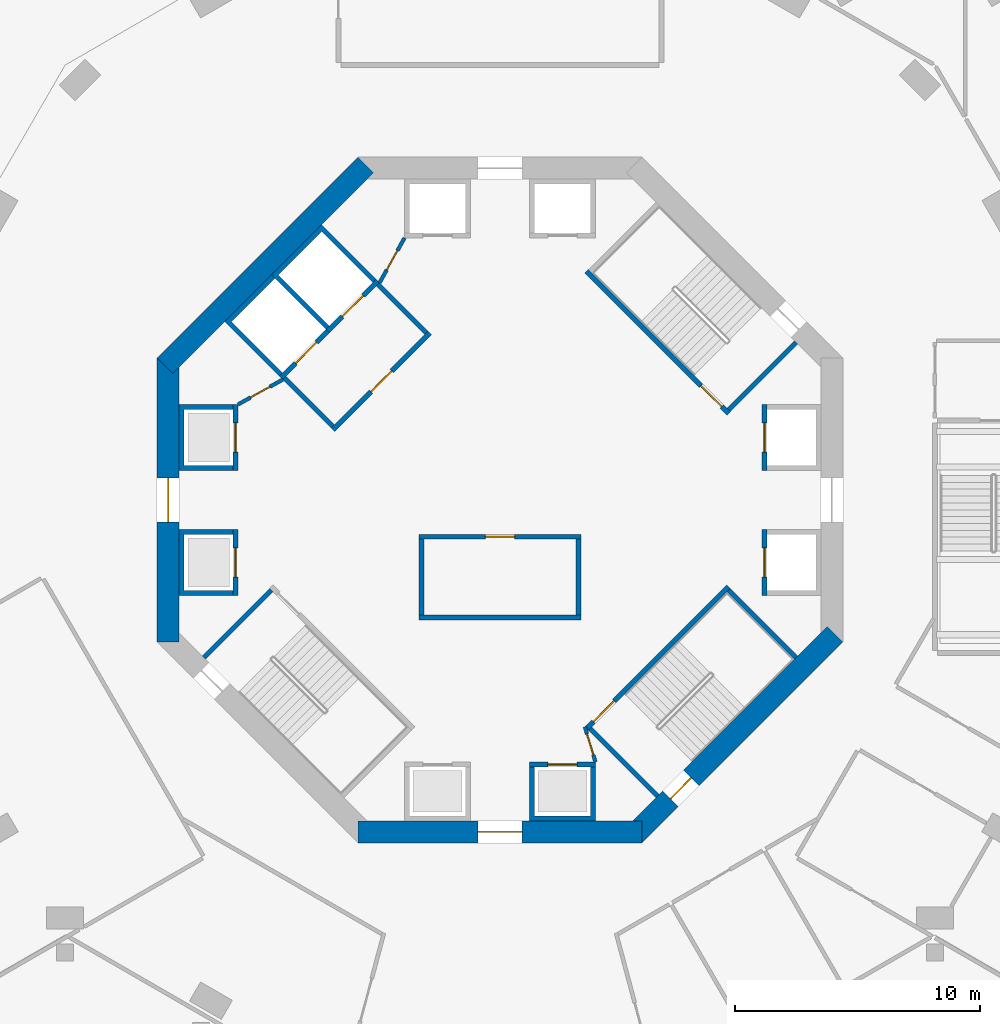
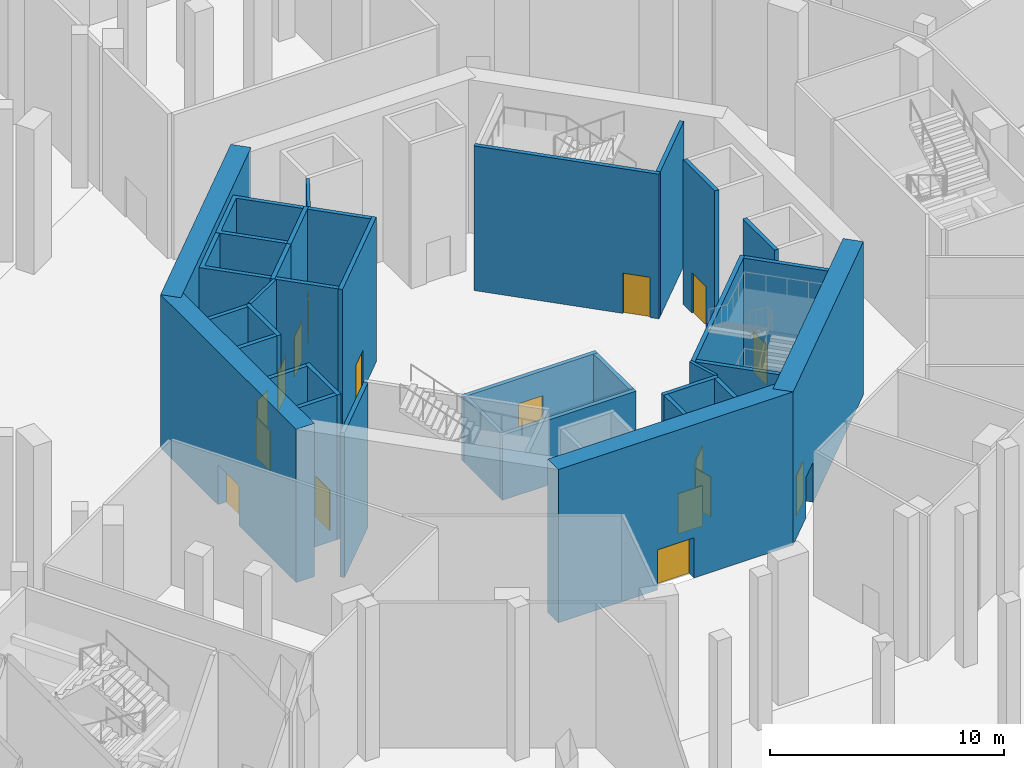
# One storey, part 7 of 30: 32 walls, 17 doors, 17 openings.
"""IFC4 building model written with IfcOpenShell, lengths in metres."""

from ifc_helpers import new_model, si_unit, direction, frame, frame_2d, origin, place, context, subcontext, project, spatial, polyline, rectangle, outline, extrude, material, layer, layer_set, type_object, element, fill, save


model = new_model("IFC4")

# Units and contexts
model_context = context("Model", 3, precision=1e-05, world=origin(), true_north=direction((0.0, 1.0)))
body_context = subcontext(model_context, "Body", "Model", "MODEL_VIEW")
ifc_project = project(units=[si_unit("LENGTHUNIT", "METRE"), si_unit("AREAUNIT", "SQUARE_METRE"), si_unit("VOLUMEUNIT", "CUBIC_METRE"), si_unit("PLANEANGLEUNIT", "RADIAN"), si_unit("MASSUNIT", "GRAM", prefix="KILO")], contexts=[model_context])

# Site, building, storey
site_placement = place(None, origin())
site = spatial("IfcSite", under=ifc_project, at=site_placement, CompositionType="ELEMENT")
building_placement = place(site_placement, origin())
building = spatial("IfcBuilding", under=site, at=building_placement, Name="Verdalira Terraces Hotel", CompositionType="ELEMENT")
storey_placement = place(building_placement, origin())
storey = spatial("IfcBuildingStorey", under=building, at=storey_placement, Name="L00", CompositionType="ELEMENT", Elevation=0.0)

# Wall, opening, door
ifc_material_1 = material(Name="Concrete C50", Category="concrete")
ifc_layer_1 = layer(ifc_material_1, 0.199951171875)
ifc_layer_set_1 = layer_set([ifc_layer_1], Name="Core RC wall 200 C50")
wall_type_1 = type_object("IfcWallType", Name="Core RC wall 200 C50", PredefinedType="SOLIDWALL", material=ifc_layer_set_1)
wall_1_placement = place(storey_placement, frame((10.800049, -1.199951, 0.0), z_axis=(0.0, 0.0, 1.0), x_axis=(0.0, -1.0, 0.0)))
wall_1 = element("IfcWall", 1, at=wall_1_placement, inside=storey, type_object=wall_type_1, Name="L00 shaft front wall E1", PredefinedType="SOLIDWALL", context=body_context, shape_type="SweptSolid", body=[
    extrude(rectangle(XDim=2.699951, YDim=0.199951, at=frame_2d((1.350098, 0.0))), origin(), (0.0, 0.0, 1.0), 7.550049),
])
opening_1_placement = place(wall_1_placement, frame((0.75, 0.0, 0.0)))
opening_1 = element("IfcOpeningElement", 2, at=opening_1_placement, cuts=wall_1, Name="Opening LD-L00-801", PredefinedType="OPENING", context=body_context, shape_type="SweptSolid", body=[
    extrude(rectangle(XDim=1.199951, YDim=2.100098, at=frame_2d((0.600098, 1.050049))), frame((0.0, 0.109863, 0.0), z_axis=(0.0, -1.0, 0.0), x_axis=(1.0, 0.0, 0.0)), (0.0, 0.0, 1.0), 0.219971),
])
ifc_material_2 = material(Name="Stainless steel", Category="steel")
door_type_1 = type_object("IfcDoorType", Name="Landing door 1200 x 2100", OperationType="NOTDEFINED", PredefinedType="DOOR", material=ifc_material_2)
door_1_placement = place(opening_1_placement, origin())
door_1 = element("IfcDoor", 3, at=door_1_placement, inside=storey, type_object=door_type_1, Name="Lift landing door LR1 L00", OperationType="DOUBLE_DOOR_SLIDING", OverallHeight=2.10009765625, OverallWidth=1.199951171875, PredefinedType="DOOR", context=body_context, shape_type="SweptSolid", body=[
    extrude(rectangle(XDim=1.199951, YDim=2.100098, at=frame_2d((0.600098, 1.050049))), frame((0.0, 0.024902, 0.0), z_axis=(0.0, -1.0, 0.0), x_axis=(1.0, 0.0, 0.0)), (0.0, 0.0, 1.0), 0.050049),
])
fill(opening_1, door_1)

wall_2_placement = place(storey_placement, frame((10.800049, 1.199951, 0.0), z_axis=(0.0, 0.0, 1.0), x_axis=(0.0, 1.0, 0.0)))
wall_2 = element("IfcWall", 4, at=wall_2_placement, inside=storey, type_object=wall_type_1, Name="L00 shaft front wall E2", PredefinedType="SOLIDWALL", context=body_context, shape_type="SweptSolid", body=[
    extrude(rectangle(XDim=2.699951, YDim=0.199951, at=frame_2d((1.350098, 0.0))), origin(), (0.0, 0.0, 1.0), 7.550049),
])
opening_2_placement = place(wall_2_placement, frame((0.75, 0.0, 0.0)))
opening_2 = element("IfcOpeningElement", 5, at=opening_2_placement, cuts=wall_2, Name="Opening LD-L00-802", PredefinedType="OPENING", context=body_context, shape_type="SweptSolid", body=[
    extrude(rectangle(XDim=1.199951, YDim=2.100098, at=frame_2d((0.600098, 1.050049))), frame((0.0, 0.109863, 0.0), z_axis=(0.0, -1.0, 0.0), x_axis=(1.0, 0.0, 0.0)), (0.0, 0.0, 1.0), 0.219971),
])
door_2_placement = place(opening_2_placement, origin())
door_2 = element("IfcDoor", 6, at=door_2_placement, inside=storey, type_object=door_type_1, Name="Lift landing door LR2 L00", OperationType="DOUBLE_DOOR_SLIDING", OverallHeight=2.10009765625, OverallWidth=1.199951171875, PredefinedType="DOOR", context=body_context, shape_type="SweptSolid", body=[
    extrude(rectangle(XDim=1.199951, YDim=2.100098, at=frame_2d((0.600098, 1.050049))), frame((0.0, 0.024902, 0.0), z_axis=(0.0, -1.0, 0.0), x_axis=(1.0, 0.0, 0.0)), (0.0, 0.0, 1.0), 0.050049),
])
fill(opening_2, door_2)

# Wall
wall_3_placement = place(storey_placement, origin())
element("IfcWall", 7, at=wall_3_placement, inside=storey, type_object=wall_type_1, Name="L00 shaft wall W1", PredefinedType="SOLIDWALL", context=body_context, shape_type="SweptSolid", body=[
    extrude(outline(polyline([(-13.100098, 3.899902), (-10.899902, 3.899902), (-10.899902, 3.699951), (-12.899902, 3.699951), (-12.899902, 1.399902), (-10.899902, 1.399902), (-10.899902, 1.199951), (-13.100098, 1.199951), (-13.100098, 3.899902)])), origin(), (0.0, 0.0, 1.0), 7.550049),
])

# Wall, opening, door
wall_4_placement = place(storey_placement, frame((-10.800049, 1.199951, 0.0), z_axis=(0.0, 0.0, 1.0), x_axis=(0.0, 1.0, 0.0)))
wall_4 = element("IfcWall", 8, at=wall_4_placement, inside=storey, type_object=wall_type_1, Name="L00 shaft front wall W1", PredefinedType="SOLIDWALL", context=body_context, shape_type="SweptSolid", body=[
    extrude(rectangle(XDim=2.699951, YDim=0.199951, at=frame_2d((1.350098, 0.0))), origin(), (0.0, 0.0, 1.0), 7.550049),
])
opening_3_placement = place(wall_4_placement, frame((0.75, 0.0, 0.0)))
opening_3 = element("IfcOpeningElement", 9, at=opening_3_placement, cuts=wall_4, Name="Opening LD-L00-805", PredefinedType="OPENING", context=body_context, shape_type="SweptSolid", body=[
    extrude(rectangle(XDim=1.199951, YDim=2.100098, at=frame_2d((0.600098, 1.050049))), frame((0.0, 0.109863, 0.0), z_axis=(0.0, -1.0, 0.0), x_axis=(1.0, 0.0, 0.0)), (0.0, 0.0, 1.0), 0.219971),
])
door_3_placement = place(opening_3_placement, origin())
door_3 = element("IfcDoor", 10, at=door_3_placement, inside=storey, type_object=door_type_1, Name="Lift landing door LR5 L00", OperationType="DOUBLE_DOOR_SLIDING", OverallHeight=2.10009765625, OverallWidth=1.199951171875, PredefinedType="DOOR", context=body_context, shape_type="SweptSolid", body=[
    extrude(rectangle(XDim=1.199951, YDim=2.100098, at=frame_2d((0.600098, 1.050049))), frame((0.0, 0.024902, 0.0), z_axis=(0.0, -1.0, 0.0), x_axis=(1.0, 0.0, 0.0)), (0.0, 0.0, 1.0), 0.050049),
])
fill(opening_3, door_3)

# Wall
wall_5_placement = place(storey_placement, origin())
element("IfcWall", 11, at=wall_5_placement, inside=storey, type_object=wall_type_1, Name="L00 shaft wall W2", PredefinedType="SOLIDWALL", context=body_context, shape_type="SweptSolid", body=[
    extrude(outline(polyline([(-13.100098, -3.899902), (-13.100098, -1.199951), (-10.899902, -1.199951), (-10.899902, -1.399902), (-12.899902, -1.399902), (-12.899902, -3.699951), (-10.899902, -3.699951), (-10.899902, -3.899902), (-13.100098, -3.899902)])), origin(), (0.0, 0.0, 1.0), 7.550049),
])

# Wall, opening, door
wall_6_placement = place(storey_placement, frame((-10.800049, -1.199951, 0.0), z_axis=(0.0, 0.0, 1.0), x_axis=(0.0, -1.0, 0.0)))
wall_6 = element("IfcWall", 12, at=wall_6_placement, inside=storey, type_object=wall_type_1, Name="L00 shaft front wall W2", PredefinedType="SOLIDWALL", context=body_context, shape_type="SweptSolid", body=[
    extrude(rectangle(XDim=2.699951, YDim=0.199951, at=frame_2d((1.350098, 0.0))), origin(), (0.0, 0.0, 1.0), 7.550049),
])
opening_4_placement = place(wall_6_placement, frame((0.75, 0.0, 0.0)))
opening_4 = element("IfcOpeningElement", 13, at=opening_4_placement, cuts=wall_6, Name="Opening LD-L00-806", PredefinedType="OPENING", context=body_context, shape_type="SweptSolid", body=[
    extrude(rectangle(XDim=1.199951, YDim=2.100098, at=frame_2d((0.600098, 1.050049))), frame((0.0, 0.109863, 0.0), z_axis=(0.0, -1.0, 0.0), x_axis=(1.0, 0.0, 0.0)), (0.0, 0.0, 1.0), 0.219971),
])
door_4_placement = place(opening_4_placement, origin())
door_4 = element("IfcDoor", 14, at=door_4_placement, inside=storey, type_object=door_type_1, Name="Lift landing door LR6 L00", OperationType="DOUBLE_DOOR_SLIDING", OverallHeight=2.10009765625, OverallWidth=1.199951171875, PredefinedType="DOOR", context=body_context, shape_type="SweptSolid", body=[
    extrude(rectangle(XDim=1.199951, YDim=2.100098, at=frame_2d((0.600098, 1.050049))), frame((0.0, 0.024902, 0.0), z_axis=(0.0, -1.0, 0.0), x_axis=(1.0, 0.0, 0.0)), (0.0, 0.0, 1.0), 0.050049),
])
fill(opening_4, door_4)

# Wall
wall_7_placement = place(storey_placement, origin())
element("IfcWall", 15, at=wall_7_placement, inside=storey, type_object=wall_type_1, Name="L00 shaft wall S2", PredefinedType="SOLIDWALL", context=body_context, shape_type="SweptSolid", body=[
    extrude(outline(polyline([(1.199951, -10.899902), (1.399902, -10.899902), (1.399902, -12.899902), (3.699951, -12.899902), (3.699951, -10.899902), (3.899902, -10.899902), (3.899902, -13.100098), (1.199951, -13.100098), (1.199951, -10.899902)])), origin(), (0.0, 0.0, 1.0), 7.550049),
])

# Wall, opening, door
wall_8_placement = place(storey_placement, frame((1.199951, -10.800049, 0.0), z_axis=(0.0, 0.0, 1.0), x_axis=(1.0, 0.0, 0.0)))
wall_8 = element("IfcWall", 16, at=wall_8_placement, inside=storey, type_object=wall_type_1, Name="L00 shaft front wall S2", PredefinedType="SOLIDWALL", context=body_context, shape_type="SweptSolid", body=[
    extrude(rectangle(XDim=2.699951, YDim=0.199951, at=frame_2d((1.350098, 0.0))), origin(), (0.0, 0.0, 1.0), 7.550049),
])
opening_5_placement = place(wall_8_placement, frame((0.75, 0.0, 0.0)))
opening_5 = element("IfcOpeningElement", 17, at=opening_5_placement, cuts=wall_8, Name="Opening LD-L00-808", PredefinedType="OPENING", context=body_context, shape_type="SweptSolid", body=[
    extrude(rectangle(XDim=1.199951, YDim=2.100098, at=frame_2d((0.600098, 1.050049))), frame((0.0, 0.109863, 0.0), z_axis=(0.0, -1.0, 0.0), x_axis=(1.0, 0.0, 0.0)), (0.0, 0.0, 1.0), 0.219971),
])
door_5_placement = place(opening_5_placement, origin())
door_5 = element("IfcDoor", 18, at=door_5_placement, inside=storey, type_object=door_type_1, Name="Lift landing door SH2 L00", OperationType="DOUBLE_DOOR_SLIDING", OverallHeight=2.10009765625, OverallWidth=1.199951171875, PredefinedType="DOOR", context=body_context, shape_type="SweptSolid", body=[
    extrude(rectangle(XDim=1.199951, YDim=2.100098, at=frame_2d((0.600098, 1.050049))), frame((0.0, 0.024902, 0.0), z_axis=(0.0, -1.0, 0.0), x_axis=(1.0, 0.0, 0.0)), (0.0, 0.0, 1.0), 0.050049),
])
fill(opening_5, door_5)

# Wall
wall_9_placement = place(storey_placement, origin())
element("IfcWall", 19, at=wall_9_placement, inside=storey, type_object=wall_type_1, Name="L00 shaft wall F1", PredefinedType="SOLIDWALL", context=body_context, shape_type="SweptSolid", body=[
    extrude(outline(polyline([(-9.33374, 9.192383), (-7.283203, 11.24292), (-5.055908, 9.015625), (-5.197266, 8.874268), (-7.283203, 10.960205), (-9.051025, 9.192383), (-6.965088, 7.106445), (-7.106445, 6.965088), (-9.33374, 9.192383)])), origin(), (0.0, 0.0, 1.0), 7.550049),
])

# Wall, opening, door
wall_10_placement = place(storey_placement, frame((-4.985107, 8.944824, 0.0), z_axis=(0.0, 0.0, 1.0), x_axis=(-0.707106781, -0.707106781, 0.0)))
wall_10 = element("IfcWall", 20, at=wall_10_placement, inside=storey, type_object=wall_type_1, Name="L00 shaft front wall F1", PredefinedType="SOLIDWALL", context=body_context, shape_type="SweptSolid", body=[
    extrude(rectangle(XDim=2.899902, YDim=0.199951, at=frame_2d((1.449951, 0.0))), origin(), (0.0, 0.0, 1.0), 7.550049),
])
opening_6_placement = place(wall_10_placement, frame((0.850098, 0.0, 0.0)))
opening_6 = element("IfcOpeningElement", 21, at=opening_6_placement, cuts=wall_10, Name="Opening LD-L00-809", PredefinedType="OPENING", context=body_context, shape_type="SweptSolid", body=[
    extrude(rectangle(XDim=1.199951, YDim=2.100098, at=frame_2d((0.600098, 1.050049))), frame((0.0, 0.109863, 0.0), z_axis=(0.0, -1.0, 0.0), x_axis=(1.0, 0.0, 0.0)), (0.0, 0.0, 1.0), 0.219971),
])
door_6_placement = place(opening_6_placement, origin())
door_6 = element("IfcDoor", 22, at=door_6_placement, inside=storey, type_object=door_type_1, Name="Lift landing door LF11 L00", OperationType="DOUBLE_DOOR_SLIDING", OverallHeight=2.10009765625, OverallWidth=1.199951171875, PredefinedType="DOOR", context=body_context, shape_type="SweptSolid", body=[
    extrude(rectangle(XDim=1.199951, YDim=2.100098, at=frame_2d((0.600098, 1.050049))), frame((0.0, 0.024902, 0.0), z_axis=(0.0, -1.0, 0.0), x_axis=(1.0, 0.0, 0.0)), (0.0, 0.0, 1.0), 0.050049),
])
fill(opening_6, door_6)

# Wall
wall_11_placement = place(storey_placement, origin())
element("IfcWall", 23, at=wall_11_placement, inside=storey, type_object=wall_type_1, Name="L00 shaft wall F2", PredefinedType="SOLIDWALL", context=body_context, shape_type="SweptSolid", body=[
    extrude(outline(polyline([(-11.24292, 7.283203), (-9.33374, 9.192383), (-9.192383, 9.051025), (-10.960205, 7.283203), (-8.874268, 5.197266), (-9.015625, 5.055908), (-11.24292, 7.283203)])), origin(), (0.0, 0.0, 1.0), 7.550049),
])

# Wall, opening, door
wall_12_placement = place(storey_placement, frame((-7.035645, 6.894287, 0.0), z_axis=(0.0, 0.0, 1.0), x_axis=(-0.707106781, -0.707106781, 0.0)))
wall_12 = element("IfcWall", 24, at=wall_12_placement, inside=storey, type_object=wall_type_1, Name="L00 shaft front wall F2", PredefinedType="SOLIDWALL", context=body_context, shape_type="SweptSolid", body=[
    extrude(rectangle(XDim=2.699951, YDim=0.199951, at=frame_2d((1.350098, 0.0))), origin(), (0.0, 0.0, 1.0), 7.550049),
])
opening_7_placement = place(wall_12_placement, frame((0.649902, 0.0, 0.0)))
opening_7 = element("IfcOpeningElement", 25, at=opening_7_placement, cuts=wall_12, Name="Opening LD-L00-810", PredefinedType="OPENING", context=body_context, shape_type="SweptSolid", body=[
    extrude(rectangle(XDim=1.199951, YDim=2.100098, at=frame_2d((0.600098, 1.050049))), frame((0.0, 0.109863, 0.0), z_axis=(0.0, -1.0, 0.0), x_axis=(1.0, 0.0, 0.0)), (0.0, 0.0, 1.0), 0.219971),
])
door_7_placement = place(opening_7_placement, origin())
door_7 = element("IfcDoor", 26, at=door_7_placement, inside=storey, type_object=door_type_1, Name="Lift landing door LF12 L00", OperationType="DOUBLE_DOOR_SLIDING", OverallHeight=2.10009765625, OverallWidth=1.199951171875, PredefinedType="DOOR", context=body_context, shape_type="SweptSolid", body=[
    extrude(rectangle(XDim=1.199951, YDim=2.100098, at=frame_2d((0.600098, 1.050049))), frame((0.0, 0.024902, 0.0), z_axis=(0.0, -1.0, 0.0), x_axis=(1.0, 0.0, 0.0)), (0.0, 0.0, 1.0), 0.050049),
])
fill(opening_7, door_7)

wall_13_placement = place(storey_placement, frame((3.5354, 9.33374, 0.0), z_axis=(0.0, 0.0, 1.0), x_axis=(0.707106781, -0.707106781, 0.0)))
wall_13 = element("IfcWall", 27, at=wall_13_placement, inside=storey, type_object=wall_type_1, Name="L00 stair ST1 front wall", PredefinedType="SOLIDWALL", context=body_context, shape_type="SweptSolid", body=[
    extrude(rectangle(XDim=8.200195, YDim=0.199951, at=frame_2d((4.100098, 0.0))), origin(), (0.0, 0.0, 1.0), 7.550049),
])
opening_8_placement = place(wall_13_placement, frame((6.600098, 0.0, 0.0)))
opening_8 = element("IfcOpeningElement", 28, at=opening_8_placement, cuts=wall_13, Name="Opening L00-811", PredefinedType="OPENING", context=body_context, shape_type="SweptSolid", body=[
    extrude(rectangle(XDim=1.199951, YDim=2.100098, at=frame_2d((0.600098, 1.050049))), frame((0.0, 0.109863, 0.0), z_axis=(0.0, -1.0, 0.0), x_axis=(1.0, 0.0, 0.0)), (0.0, 0.0, 1.0), 0.219971),
])
ifc_material_3 = material(Name="Steel fire door", Category="steel")
door_type_2 = type_object("IfcDoorType", Name="Stair door 1200 x 2100", OperationType="NOTDEFINED", PredefinedType="DOOR", material=ifc_material_3)
door_8_placement = place(opening_8_placement, origin())
door_8 = element("IfcDoor", 29, at=door_8_placement, inside=storey, type_object=door_type_2, Name="Stair door ST1 L00", OperationType="SINGLE_SWING_RIGHT", OverallHeight=2.10009765625, OverallWidth=1.199951171875, PredefinedType="DOOR", context=body_context, shape_type="SweptSolid", body=[
    extrude(rectangle(XDim=1.199951, YDim=2.100098, at=frame_2d((0.600098, 1.050049))), frame((0.0, 0.024902, 0.0), z_axis=(0.0, -1.0, 0.0), x_axis=(1.0, 0.0, 0.0)), (0.0, 0.0, 1.0), 0.050049),
])
fill(opening_8, door_8)

# Walls
for number, where, z_axis, x_axis, name in (
    (30, (9.33374, 3.677002, 0.0), (0.0, 0.0, 1.0), (0.707106781, 0.707106781, 0.0), "L00 stair ST1 end wall 1"),
    (31, (-9.33374, -3.677002, 0.0), (0.0, 0.0, 1.0), (-0.707106781, -0.707106781, 0.0), "L00 stair ST2 end wall 1"),
):
    element("IfcWall", number, at=place(storey_placement, frame(where, z_axis=z_axis, x_axis=x_axis)), inside=storey, type_object=wall_type_1, Name=name, PredefinedType="SOLIDWALL", context=body_context, shape_type="SweptSolid", body=[
        extrude(rectangle(XDim=3.900146, YDim=0.199951, at=frame_2d((1.950195, 0.0))), origin(), (0.0, 0.0, 1.0), 7.550049),
    ])

# Wall, opening, door
wall_14_placement = place(storey_placement, frame((9.33374, -3.5354, 0.0), z_axis=(0.0, 0.0, 1.0), x_axis=(-0.707106781, -0.707106781, 0.0)))
wall_14 = element("IfcWall", 32, at=wall_14_placement, inside=storey, type_object=wall_type_1, Name="L00 stair ST3 front wall", PredefinedType="SOLIDWALL", context=body_context, shape_type="SweptSolid", body=[
    extrude(rectangle(XDim=8.200195, YDim=0.199951, at=frame_2d((4.100098, 0.0))), origin(), (0.0, 0.0, 1.0), 7.550049),
])
opening_9_placement = place(wall_14_placement, frame((6.600098, 0.0, 0.0)))
opening_9 = element("IfcOpeningElement", 33, at=opening_9_placement, cuts=wall_14, Name="Opening L00-813", PredefinedType="OPENING", context=body_context, shape_type="SweptSolid", body=[
    extrude(rectangle(XDim=1.199951, YDim=2.100098, at=frame_2d((0.600098, 1.050049))), frame((0.0, 0.109863, 0.0), z_axis=(0.0, -1.0, 0.0), x_axis=(1.0, 0.0, 0.0)), (0.0, 0.0, 1.0), 0.219971),
])
door_9_placement = place(opening_9_placement, origin())
door_9 = element("IfcDoor", 34, at=door_9_placement, inside=storey, type_object=door_type_2, Name="Stair door ST3 L00", OperationType="SINGLE_SWING_RIGHT", OverallHeight=2.10009765625, OverallWidth=1.199951171875, PredefinedType="DOOR", context=body_context, shape_type="SweptSolid", body=[
    extrude(rectangle(XDim=1.199951, YDim=2.100098, at=frame_2d((0.600098, 1.050049))), frame((0.0, 0.024902, 0.0), z_axis=(0.0, -1.0, 0.0), x_axis=(1.0, 0.0, 0.0)), (0.0, 0.0, 1.0), 0.050049),
])
fill(opening_9, door_9)

# Walls
for number, where, z_axis, x_axis, name in (
    (35, (3.677002, -9.33374, 0.0), (0.0, 0.0, 1.0), (0.707106781, -0.707106781, 0.0), "L00 stair ST3 end wall 1"),
    (36, (9.33374, -3.677002, 0.0), (0.0, 0.0, 1.0), (0.707106781, -0.707106781, 0.0), "L00 stair ST3 end wall 2"),
):
    element("IfcWall", number, at=place(storey_placement, frame(where, z_axis=z_axis, x_axis=x_axis)), inside=storey, type_object=wall_type_1, Name=name, PredefinedType="SOLIDWALL", context=body_context, shape_type="SweptSolid", body=[
        extrude(rectangle(XDim=3.900146, YDim=0.199951, at=frame_2d((1.950195, 0.0))), origin(), (0.0, 0.0, 1.0), 7.550049),
    ])

# Wall, opening, door
wall_15_placement = place(storey_placement, frame((-2.86377, 6.823486, 0.0), z_axis=(0.0, 0.0, 1.0), x_axis=(-0.707106781, -0.707106781, 0.0)))
wall_15 = element("IfcWall", 37, at=wall_15_placement, inside=storey, type_object=wall_type_1, Name="L00 fire lobby wall", PredefinedType="SOLIDWALL", context=body_context, shape_type="SweptSolid", body=[
    extrude(rectangle(XDim=5.599854, YDim=0.199951, at=frame_2d((2.799805, 0.0))), origin(), (0.0, 0.0, 1.0), 7.550049),
])
opening_10_placement = place(wall_15_placement, frame((2.199951, 0.0, 0.0)))
opening_10 = element("IfcOpeningElement", 38, at=opening_10_placement, cuts=wall_15, Name="Opening L00-821", PredefinedType="OPENING", context=body_context, shape_type="SweptSolid", body=[
    extrude(rectangle(XDim=1.199951, YDim=2.100098, at=frame_2d((0.600098, 1.050049))), frame((0.0, 0.109863, 0.0), z_axis=(0.0, -1.0, 0.0), x_axis=(1.0, 0.0, 0.0)), (0.0, 0.0, 1.0), 0.219971),
])
ifc_material_4 = material(Name="Steel fire door", Category="steel")
door_type_3 = type_object("IfcDoorType", Name="Lobby door 1200 x 2100", OperationType="NOTDEFINED", PredefinedType="DOOR", material=ifc_material_4)
door_10_placement = place(opening_10_placement, origin())
door_10 = element("IfcDoor", 39, at=door_10_placement, inside=storey, type_object=door_type_3, Name="Fire lobby door L00", OperationType="SINGLE_SWING_LEFT", OverallHeight=2.10009765625, OverallWidth=1.199951171875, PredefinedType="DOOR", context=body_context, shape_type="SweptSolid", body=[
    extrude(rectangle(XDim=1.199951, YDim=2.100098, at=frame_2d((0.600098, 1.050049))), frame((0.0, 0.024902, 0.0), z_axis=(0.0, -1.0, 0.0), x_axis=(1.0, 0.0, 0.0)), (0.0, 0.0, 1.0), 0.050049),
])
fill(opening_10, door_10)

# Walls
for number, where, z_axis, x_axis, name in (
    (40, (-3.005127, 6.823486, 0.0), (0.0, 0.0, 1.0), (-0.707106781, 0.707106781, 0.0), "L00 fire lobby wall"),
    (41, (-6.823486, 3.005127, 0.0), (0.0, 0.0, 1.0), (-0.707106781, 0.707106781, 0.0), "L00 fire lobby wall"),
):
    element("IfcWall", number, at=place(storey_placement, frame(where, z_axis=z_axis, x_axis=x_axis)), inside=storey, type_object=wall_type_1, Name=name, PredefinedType="SOLIDWALL", context=body_context, shape_type="SweptSolid", body=[
        extrude(rectangle(XDim=2.800049, YDim=0.199951, at=frame_2d((1.399902, 0.0))), origin(), (0.0, 0.0, 1.0), 7.550049),
    ])

# Wall, opening, door
ifc_material_5 = material(Name="Gypsum board partition")
ifc_layer_2 = layer(ifc_material_5, 0.14990234375)
ifc_layer_set_2 = layer_set([ifc_layer_2], Name="Core partition 150 mm")
wall_type_2 = type_object("IfcWallType", Name="Core partition 150 mm", PredefinedType="PARTITIONING", material=ifc_layer_set_2)
wall_16_placement = place(storey_placement, frame((-3.899902, 10.699951, 0.0), z_axis=(0.0, 0.0, 1.0), x_axis=(-0.485692555, -0.874129705, 0.0)))
wall_16 = element("IfcWall", 42, at=wall_16_placement, inside=storey, type_object=wall_type_2, Name="Room partition L00", PredefinedType="PARTITIONING", context=body_context, shape_type="SweptSolid", body=[
    extrude(rectangle(XDim=2.088623, YDim=0.149902, at=frame_2d((1.044434, 0.0))), origin(), (0.0, 0.0, 1.0), 7.550049),
])
opening_11_placement = place(wall_16_placement, frame((0.594238, 0.0, 0.0)))
opening_11 = element("IfcOpeningElement", 43, at=opening_11_placement, cuts=wall_16, Name="Opening L00-822", PredefinedType="OPENING", context=body_context, shape_type="SweptSolid", body=[
    extrude(rectangle(XDim=0.899902, YDim=2.100098, at=frame_2d((0.449951, 1.050049))), frame((0.0, 0.084961, 0.0), z_axis=(0.0, -1.0, 0.0), x_axis=(1.0, 0.0, 0.0)), (0.0, 0.0, 1.0), 0.169922),
])
ifc_material_6 = material(Name="Steel fire door", Category="steel")
door_type_4 = type_object("IfcDoorType", Name="Core room door 900 x 2100", OperationType="NOTDEFINED", PredefinedType="DOOR", material=ifc_material_6)
door_11_placement = place(opening_11_placement, origin())
door_11 = element("IfcDoor", 44, at=door_11_placement, inside=storey, type_object=door_type_4, Name="Door L00 room2", OperationType="SINGLE_SWING_LEFT", OverallHeight=2.10009765625, OverallWidth=0.89990234375, PredefinedType="DOOR", context=body_context, shape_type="SweptSolid", body=[
    extrude(rectangle(XDim=0.899902, YDim=2.100098, at=frame_2d((0.449951, 1.050049))), frame((0.0, 0.024902, 0.0), z_axis=(0.0, -1.0, 0.0), x_axis=(1.0, 0.0, 0.0)), (0.0, 0.0, 1.0), 0.050049),
])
fill(opening_11, door_11)

wall_17_placement = place(storey_placement, frame((-8.874268, 4.914307, 0.0), z_axis=(0.0, 0.0, 1.0), x_axis=(-0.874129705, -0.485692555, 0.0)))
wall_17 = element("IfcWall", 45, at=wall_17_placement, inside=storey, type_object=wall_type_2, Name="Room partition L00", PredefinedType="PARTITIONING", context=body_context, shape_type="SweptSolid", body=[
    extrude(rectangle(XDim=2.088623, YDim=0.149902, at=frame_2d((1.044434, 0.0))), origin(), (0.0, 0.0, 1.0), 7.550049),
])
opening_12_placement = place(wall_17_placement, frame((0.594238, 0.0, 0.0)))
opening_12 = element("IfcOpeningElement", 46, at=opening_12_placement, cuts=wall_17, Name="Opening L00-823", PredefinedType="OPENING", context=body_context, shape_type="SweptSolid", body=[
    extrude(rectangle(XDim=0.899902, YDim=2.100098, at=frame_2d((0.449951, 1.050049))), frame((0.0, 0.084961, 0.0), z_axis=(0.0, -1.0, 0.0), x_axis=(1.0, 0.0, 0.0)), (0.0, 0.0, 1.0), 0.169922),
])
door_12_placement = place(opening_12_placement, origin())
door_12 = element("IfcDoor", 47, at=door_12_placement, inside=storey, type_object=door_type_4, Name="Door L00 room3", OperationType="SINGLE_SWING_LEFT", OverallHeight=2.10009765625, OverallWidth=0.89990234375, PredefinedType="DOOR", context=body_context, shape_type="SweptSolid", body=[
    extrude(rectangle(XDim=0.899902, YDim=2.100098, at=frame_2d((0.449951, 1.050049))), frame((0.0, 0.024902, 0.0), z_axis=(0.0, -1.0, 0.0), x_axis=(1.0, 0.0, 0.0)), (0.0, 0.0, 1.0), 0.050049),
])
fill(opening_12, door_12)

wall_18_placement = place(storey_placement, frame((3.899902, -10.699951, 0.0), z_axis=(0.0, 0.0, 1.0), x_axis=(-0.289808785, 0.957084567, 0.0)))
wall_18 = element("IfcWall", 48, at=wall_18_placement, inside=storey, type_object=wall_type_2, Name="Room partition L00", PredefinedType="PARTITIONING", context=body_context, shape_type="SweptSolid", body=[
    extrude(rectangle(XDim=1.501221, YDim=0.149902, at=frame_2d((0.750488, 0.0))), origin(), (0.0, 0.0, 1.0), 7.550049),
])
opening_13_placement = place(wall_18_placement, frame((0.300781, 0.0, 0.0)))
opening_13 = element("IfcOpeningElement", 49, at=opening_13_placement, cuts=wall_18, Name="Opening L00-824", PredefinedType="OPENING", context=body_context, shape_type="SweptSolid", body=[
    extrude(rectangle(XDim=0.899902, YDim=2.100098, at=frame_2d((0.449951, 1.050049))), frame((0.0, 0.084961, 0.0), z_axis=(0.0, -1.0, 0.0), x_axis=(1.0, 0.0, 0.0)), (0.0, 0.0, 1.0), 0.169922),
])
door_13_placement = place(opening_13_placement, origin())
door_13 = element("IfcDoor", 50, at=door_13_placement, inside=storey, type_object=door_type_4, Name="Door L00 room6", OperationType="SINGLE_SWING_LEFT", OverallHeight=2.10009765625, OverallWidth=0.89990234375, PredefinedType="DOOR", context=body_context, shape_type="SweptSolid", body=[
    extrude(rectangle(XDim=0.899902, YDim=2.100098, at=frame_2d((0.449951, 1.050049))), frame((0.0, 0.024902, 0.0), z_axis=(0.0, -1.0, 0.0), x_axis=(1.0, 0.0, 0.0)), (0.0, 0.0, 1.0), 0.050049),
])
fill(opening_13, door_13)

# Wall
ifc_material_7 = material(Name="Concrete C70", Category="concrete")
ifc_layer_3 = layer(ifc_material_7, 0.89990234375)
ifc_layer_set_3 = layer_set([ifc_layer_3], Name="Core wall 900 C70")
wall_type_3 = type_object("IfcWallType", Name="Core wall 900 C70", PredefinedType="SHEAR", material=ifc_layer_set_3)
wall_19_placement = place(storey_placement, frame((-5.480713, 13.681885, 0.0), z_axis=(0.0, 0.0, 1.0), x_axis=(-0.707106781, -0.707106781, 0.0)))
element("IfcWall", 51, at=wall_19_placement, inside=storey, type_object=wall_type_3, Name="Core wall CW-L00-4", PredefinedType="SHEAR", context=body_context, shape_type="SweptSolid", body=[
    extrude(rectangle(XDim=11.598145, YDim=0.899902, at=frame_2d((5.799072, 0.0))), origin(), (0.0, 0.0, 1.0), 8.0),
])

# Wall, opening, door
wall_20_placement = place(storey_placement, frame((-13.550049, 5.799072, 0.0), z_axis=(0.0, 0.0, 1.0), x_axis=(0.0, -1.0, 0.0)))
wall_20 = element("IfcWall", 52, at=wall_20_placement, inside=storey, type_object=wall_type_3, Name="Core wall CW-L00-5", PredefinedType="SHEAR", context=body_context, shape_type="SweptSolid", body=[
    extrude(rectangle(XDim=11.598145, YDim=0.899902, at=frame_2d((5.799072, 0.0))), origin(), (0.0, 0.0, 1.0), 8.0),
])
opening_14_placement = place(wall_20_placement, frame((4.898926, 0.0, 0.0)))
opening_14 = element("IfcOpeningElement", 53, at=opening_14_placement, cuts=wall_20, Name="Opening L00-816", PredefinedType="OPENING", context=body_context, shape_type="SweptSolid", body=[
    extrude(rectangle(XDim=1.800049, YDim=2.100098, at=frame_2d((0.899902, 1.050049))), frame((0.0, 0.459961, 0.0), z_axis=(0.0, -1.0, 0.0), x_axis=(1.0, 0.0, 0.0)), (0.0, 0.0, 1.0), 0.919922),
])
ifc_material_8 = material(Name="Steel fire door", Category="steel")
door_type_5 = type_object("IfcDoorType", Name="Core entry door pair 1800 x 2100", OperationType="NOTDEFINED", PredefinedType="DOOR", material=ifc_material_8)
door_14_placement = place(opening_14_placement, origin())
door_14 = element("IfcDoor", 54, at=door_14_placement, inside=storey, type_object=door_type_5, Name="Core entry door L00 4", OperationType="DOUBLE_DOOR_SINGLE_SWING", OverallHeight=2.10009765625, OverallWidth=1.800048828125, PredefinedType="DOOR", context=body_context, shape_type="SweptSolid", body=[
    extrude(rectangle(XDim=1.800049, YDim=2.100098, at=frame_2d((0.899902, 1.050049))), frame((0.0, 0.024902, 0.0), z_axis=(0.0, -1.0, 0.0), x_axis=(1.0, 0.0, 0.0)), (0.0, 0.0, 1.0), 0.050049),
])
fill(opening_14, door_14)

wall_21_placement = place(storey_placement, frame((-5.799072, -13.550049, 0.0), z_axis=(0.0, 0.0, 1.0), x_axis=(1.0, 0.0, 0.0)))
wall_21 = element("IfcWall", 55, at=wall_21_placement, inside=storey, type_object=wall_type_3, Name="Core wall CW-L00-7", PredefinedType="SHEAR", context=body_context, shape_type="SweptSolid", body=[
    extrude(rectangle(XDim=11.598145, YDim=0.899902, at=frame_2d((5.799072, 0.0))), origin(), (0.0, 0.0, 1.0), 8.0),
])
opening_15_placement = place(wall_21_placement, frame((4.898926, 0.0, 0.0)))
opening_15 = element("IfcOpeningElement", 56, at=opening_15_placement, cuts=wall_21, Name="Opening L00-817", PredefinedType="OPENING", context=body_context, shape_type="SweptSolid", body=[
    extrude(rectangle(XDim=1.800049, YDim=2.100098, at=frame_2d((0.899902, 1.050049))), frame((0.0, 0.459961, 0.0), z_axis=(0.0, -1.0, 0.0), x_axis=(1.0, 0.0, 0.0)), (0.0, 0.0, 1.0), 0.919922),
])
door_15_placement = place(opening_15_placement, origin())
door_15 = element("IfcDoor", 57, at=door_15_placement, inside=storey, type_object=door_type_5, Name="Core entry door L00 6", OperationType="DOUBLE_DOOR_SINGLE_SWING", OverallHeight=2.10009765625, OverallWidth=1.800048828125, PredefinedType="DOOR", context=body_context, shape_type="SweptSolid", body=[
    extrude(rectangle(XDim=1.800049, YDim=2.100098, at=frame_2d((0.899902, 1.050049))), frame((0.0, 0.024902, 0.0), z_axis=(0.0, -1.0, 0.0), x_axis=(1.0, 0.0, 0.0)), (0.0, 0.0, 1.0), 0.050049),
])
fill(opening_15, door_15)

wall_22_placement = place(storey_placement, frame((5.480713, -13.681885, 0.0), z_axis=(0.0, 0.0, 1.0), x_axis=(0.707106781, 0.707106781, 0.0)))
wall_22 = element("IfcWall", 58, at=wall_22_placement, inside=storey, type_object=wall_type_3, Name="Core wall CW-L00-8", PredefinedType="SHEAR", context=body_context, shape_type="SweptSolid", body=[
    extrude(rectangle(XDim=11.598145, YDim=0.899902, at=frame_2d((5.799072, 0.0))), origin(), (0.0, 0.0, 1.0), 8.0),
])
opening_16_placement = place(wall_22_placement, frame((2.099121, 0.0, 0.0)))
opening_16 = element("IfcOpeningElement", 59, at=opening_16_placement, cuts=wall_22, Name="Opening L00-820", PredefinedType="OPENING", context=body_context, shape_type="SweptSolid", body=[
    extrude(rectangle(XDim=1.199951, YDim=2.100098, at=frame_2d((0.600098, 1.050049))), frame((0.0, 0.459961, 0.0), z_axis=(0.0, -1.0, 0.0), x_axis=(1.0, 0.0, 0.0)), (0.0, 0.0, 1.0), 0.919922),
])
door_16_placement = place(opening_16_placement, origin())
door_16 = element("IfcDoor", 60, at=door_16_placement, inside=storey, type_object=door_type_2, Name="Stair exit door ST3 L00", OperationType="SINGLE_SWING_LEFT", OverallHeight=2.10009765625, OverallWidth=1.199951171875, PredefinedType="DOOR", context=body_context, shape_type="SweptSolid", body=[
    extrude(rectangle(XDim=1.199951, YDim=2.100098, at=frame_2d((0.600098, 1.050049))), frame((0.0, 0.024902, 0.0), z_axis=(0.0, -1.0, 0.0), x_axis=(1.0, 0.0, 0.0)), (0.0, 0.0, 1.0), 0.050049),
])
fill(opening_16, door_16)

# Walls
ifc_material_9 = material(Name="Concrete C50", Category="concrete")
ifc_layer_4 = layer(ifc_material_9, 0.199951171875)
ifc_layer_set_4 = layer_set([ifc_layer_4], Name="Fire command centre wall 200 C50")
wall_type_4 = type_object("IfcWallType", Name="Fire command centre wall 200 C50", PredefinedType="SOLIDWALL", material=ifc_layer_set_4)
wall_23_placement = place(storey_placement, frame((-3.300049, -4.800049, 0.0), z_axis=(0.0, 0.0, 1.0), x_axis=(1.0, 0.0, 0.0)))
element("IfcWall", 61, at=wall_23_placement, inside=storey, type_object=wall_type_4, Name="Fire command centre wall L00", PredefinedType="SOLIDWALL", context=body_context, shape_type="SweptSolid", body=[
    extrude(rectangle(XDim=6.600098, YDim=0.199951, at=frame_2d((3.300049, 0.0))), origin(), (0.0, 0.0, 1.0), 3.399902),
])
for number, where, z_axis, x_axis, name in (
    (62, (-3.199951, -4.699951, 0.0), (0.0, 0.0, 1.0), (0.0, 1.0, 0.0), "Fire command centre wall L00"),
    (63, (3.199951, -4.699951, 0.0), (0.0, 0.0, 1.0), (0.0, 1.0, 0.0), "Fire command centre wall L00"),
):
    element("IfcWall", number, at=place(storey_placement, frame(where, z_axis=z_axis, x_axis=x_axis)), inside=storey, type_object=wall_type_4, Name=name, PredefinedType="SOLIDWALL", context=body_context, shape_type="SweptSolid", body=[
        extrude(rectangle(XDim=3.099854, YDim=0.199951, at=frame_2d((1.549805, 0.0))), origin(), (0.0, 0.0, 1.0), 3.399902),
    ])

# Wall, opening, door
wall_24_placement = place(storey_placement, frame((-3.300049, -1.5, 0.0), z_axis=(0.0, 0.0, 1.0), x_axis=(1.0, 0.0, 0.0)))
wall_24 = element("IfcWall", 64, at=wall_24_placement, inside=storey, type_object=wall_type_4, Name="Fire command centre wall L00", PredefinedType="SOLIDWALL", context=body_context, shape_type="SweptSolid", body=[
    extrude(rectangle(XDim=6.600098, YDim=0.199951, at=frame_2d((3.300049, 0.0))), origin(), (0.0, 0.0, 1.0), 3.399902),
])
opening_17_placement = place(wall_24_placement, frame((2.699951, 0.0, 0.0)))
opening_17 = element("IfcOpeningElement", 65, at=opening_17_placement, cuts=wall_24, Name="Opening L00-825", PredefinedType="OPENING", context=body_context, shape_type="SweptSolid", body=[
    extrude(rectangle(XDim=1.199951, YDim=2.100098, at=frame_2d((0.600098, 1.050049))), frame((0.0, 0.109863, 0.0), z_axis=(0.0, -1.0, 0.0), x_axis=(1.0, 0.0, 0.0)), (0.0, 0.0, 1.0), 0.219971),
])
door_17_placement = place(opening_17_placement, origin())
door_17 = element("IfcDoor", 66, at=door_17_placement, inside=storey, type_object=door_type_4, Name="Fire command centre door L00", OperationType="SINGLE_SWING_LEFT", OverallHeight=2.10009765625, OverallWidth=1.199951171875, PredefinedType="DOOR", context=body_context, shape_type="SweptSolid", body=[
    extrude(rectangle(XDim=1.199951, YDim=2.100098, at=frame_2d((0.600098, 1.050049))), frame((0.0, 0.024902, 0.0), z_axis=(0.0, -1.0, 0.0), x_axis=(1.0, 0.0, 0.0)), (0.0, 0.0, 1.0), 0.050049),
])
fill(opening_17, door_17)

save(model, "model.ifc")
